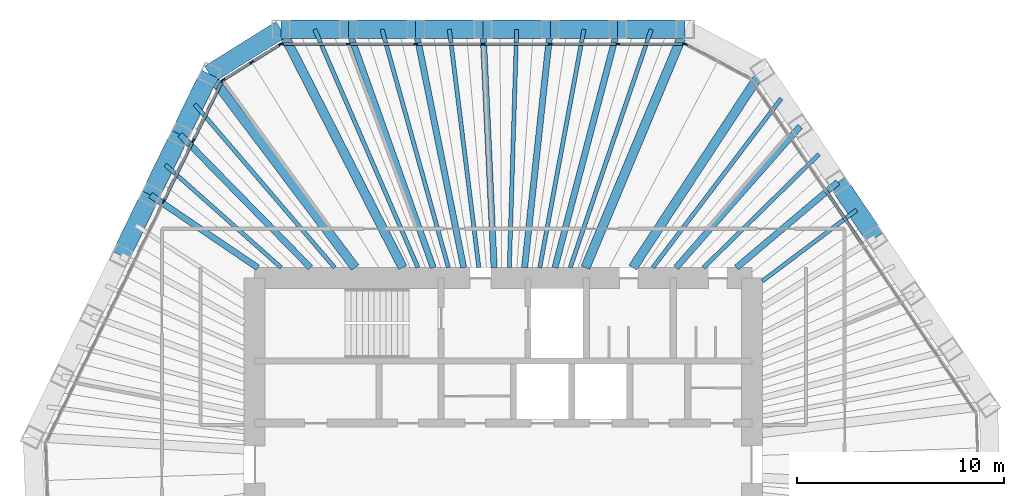
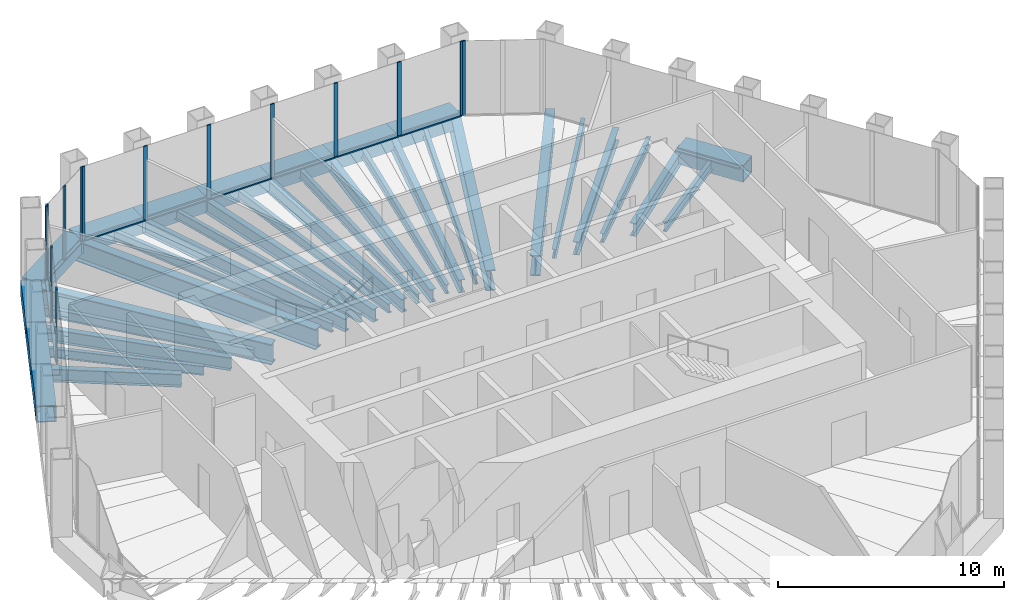
# One storey, part 7 of 14: 35 beams, 25 members, 5 elements without a shape of their own.
"""IFC4 building model written with IfcOpenShell, lengths in metres."""

from ifc_helpers import new_model, si_unit, direction, frame, origin, origin_2d, place, context, subcontext, project, spatial, rectangle, hollow_rectangle, i_section, extrude, material, material_profile, profile_set, type_object, element, aggregate, save


model = new_model("IFC4")

# Units and contexts
model_context = context("Model", 3, precision=1e-05, world=origin(), true_north=direction((0.0, 1.0)))
body_context = subcontext(model_context, "Body", "Model", "MODEL_VIEW")
ifc_project = project(units=[si_unit("LENGTHUNIT", "METRE"), si_unit("AREAUNIT", "SQUARE_METRE"), si_unit("VOLUMEUNIT", "CUBIC_METRE"), si_unit("PLANEANGLEUNIT", "RADIAN"), si_unit("MASSUNIT", "GRAM", prefix="KILO")], contexts=[model_context])

# Site, building, storey
site_placement = place(None, origin())
site = spatial("IfcSite", under=ifc_project, at=site_placement, CompositionType="ELEMENT")
building_placement = place(site_placement, origin())
building = spatial("IfcBuilding", under=site, at=building_placement, Name="Qingtian Harvest Tower", CompositionType="ELEMENT")
storey_placement = place(building_placement, frame((0.0, 0.0, 270.39990234375)))
storey = spatial("IfcBuildingStorey", under=building, at=storey_placement, Name="L59", CompositionType="ELEMENT", Elevation=270.39990234375)

# Beams
ifc_material_1 = material(Name="Steel SM570MC", Category="steel")
ifc_material_profile_1 = material_profile(ifc_material_1, i_section(OverallWidth=0.449951171875, OverallDepth=1.10009765625, WebThickness=0.02197265625, FlangeThickness=0.044921875, at=origin_2d()), Name="H1100x450x22x45")
ifc_profile_set_1 = profile_set([ifc_material_profile_1], Name="Steel SM570MC")
beam_type_1 = type_object("IfcBeamType", Name="Corner floor beam FB8 H1100x450x22x45", PredefinedType="BEAM", material=ifc_profile_set_1)
beam_1_placement = place(storey_placement, frame((-10.72216796875, 21.0, -0.719970703125), z_axis=(0.454730568944, -0.890629052787, 0.0), x_axis=(0.890629052787, 0.454730568944, 0.0)))
element("IfcBeam", 1, at=beam_1_placement, inside=storey, type_object=beam_type_1, Name="Floor beam FB8 N0", PredefinedType="BEAM", context=body_context, shape_type="SweptSolid", body=[
    extrude(i_section(OverallWidth=0.449951171875, OverallDepth=1.10009765625, WebThickness=0.02197265625, FlangeThickness=0.044921875, at=origin_2d()), origin(), (0.0, 0.0, 1.0), 12.912109375),
])
beam_2_placement = place(storey_placement, frame((8.765869140625, 21.0, -0.719970703125), z_axis=(-0.385205133264, -0.922830973313, 0.0), x_axis=(0.922830973313, -0.385205133264, 0.0)))
element("IfcBeam", 2, at=beam_2_placement, inside=storey, type_object=beam_type_1, Name="Floor beam FB8 N6", PredefinedType="BEAM", context=body_context, shape_type="SweptSolid", body=[
    extrude(i_section(OverallWidth=0.449951171875, OverallDepth=1.10009765625, WebThickness=0.02197265625, FlangeThickness=0.044921875, at=origin_2d()), origin(), (0.0, 0.0, 1.0), 12.461669921875),
])
beam_3_placement = place(storey_placement, frame((12.508056640625, 19.01025390625, -0.719970703125), z_axis=(-0.549666916329, -0.835383912398, 0.0), x_axis=(0.835383912398, -0.549666916329, 0.0)))
element("IfcBeam", 3, at=beam_3_placement, inside=storey, type_object=beam_type_1, Name="Floor beam FB8 NE0", PredefinedType="BEAM", context=body_context, shape_type="SweptSolid", body=[
    extrude(i_section(OverallWidth=0.449951171875, OverallDepth=1.10009765625, WebThickness=0.02197265625, FlangeThickness=0.044921875, at=origin_2d()), origin(), (0.0, 0.0, 1.0), 11.38427734375),
])
beam_4_placement = place(storey_placement, frame((-14.17431640625, 18.8427734375, -0.719970703125), z_axis=(0.601148761641, -0.799137138655, 0.0), x_axis=(0.799137138655, 0.601148761641, 0.0)))
element("IfcBeam", 4, at=beam_4_placement, inside=storey, type_object=beam_type_1, Name="Floor beam FB8 NW6", PredefinedType="BEAM", context=body_context, shape_type="SweptSolid", body=[
    extrude(i_section(OverallWidth=0.449951171875, OverallDepth=1.10009765625, WebThickness=0.02197265625, FlangeThickness=0.044921875, at=origin_2d()), origin(), (0.0, 0.0, 1.0), 11.691162109375),
])
ifc_material_2 = material(Name="Steel SN490B", Category="steel")
ifc_material_profile_2 = material_profile(ifc_material_2, i_section(OverallWidth=0.300048828125, OverallDepth=0.699951171875, WebThickness=0.012939453125, FlangeThickness=0.02392578125, at=origin_2d()), Name="H700x300x13x24")
ifc_profile_set_2 = profile_set([ifc_material_profile_2], Name="Steel SN490B")
beam_type_2 = type_object("IfcBeamType", Name="Floor beam FB4 H700x300x13x24", PredefinedType="BEAM", material=ifc_profile_set_2)
beam_5_placement = place(storey_placement, frame((-7.47412109375, 21.0, -0.52001953125), z_axis=(0.335309922571, -0.94210787908, 0.0), x_axis=(0.94210787908, 0.335309922571, 0.0)))
element("IfcBeam", 5, at=beam_5_placement, inside=storey, type_object=beam_type_2, Name="Floor beam FB4 N1", PredefinedType="BEAM", context=body_context, shape_type="SweptSolid", body=[
    extrude(i_section(OverallWidth=0.300048828125, OverallDepth=0.699951171875, WebThickness=0.012939453125, FlangeThickness=0.02392578125, at=origin_2d()), origin(), (0.0, 0.0, 1.0), 12.206787109375),
])
beam_6_placement = place(storey_placement, frame((-4.226318359375, 21.0, -0.52001953125), z_axis=(0.197300692693, -0.980343019898, 0.0), x_axis=(0.980343019898, 0.197300692693, 0.0)))
element("IfcBeam", 6, at=beam_6_placement, inside=storey, type_object=beam_type_2, Name="Floor beam FB4 N2", PredefinedType="BEAM", context=body_context, shape_type="SweptSolid", body=[
    extrude(i_section(OverallWidth=0.300048828125, OverallDepth=0.699951171875, WebThickness=0.012939453125, FlangeThickness=0.02392578125, at=origin_2d()), origin(), (0.0, 0.0, 1.0), 11.73046875),
])
beam_7_placement = place(storey_placement, frame((-0.978271484375, 21.0, -0.52001953125), z_axis=(0.046527342366, -0.99891701678, 0.0), x_axis=(0.99891701678, 0.046527342366, 0.0)))
element("IfcBeam", 7, at=beam_7_placement, inside=storey, type_object=beam_type_2, Name="Floor beam FB4 N3", PredefinedType="BEAM", context=body_context, shape_type="SweptSolid", body=[
    extrude(i_section(OverallWidth=0.300048828125, OverallDepth=0.699951171875, WebThickness=0.012939453125, FlangeThickness=0.02392578125, at=origin_2d()), origin(), (0.0, 0.0, 1.0), 11.512451171875),
])
beam_8_placement = place(storey_placement, frame((2.269775390625, 21.0, -0.52001953125), z_axis=(-0.107454213734, -0.994210034123, 0.0), x_axis=(0.994210034123, -0.107454213734, 0.0)))
element("IfcBeam", 8, at=beam_8_placement, inside=storey, type_object=beam_type_2, Name="Floor beam FB4 N4", PredefinedType="BEAM", context=body_context, shape_type="SweptSolid", body=[
    extrude(i_section(OverallWidth=0.300048828125, OverallDepth=0.699951171875, WebThickness=0.012939453125, FlangeThickness=0.02392578125, at=origin_2d()), origin(), (0.0, 0.0, 1.0), 11.56689453125),
])
beam_9_placement = place(storey_placement, frame((5.517822265625, 21.0, -0.52001953125), z_axis=(-0.254132470973, -0.967169420111, 0.0), x_axis=(0.967169420111, -0.254132470973, 0.0)))
element("IfcBeam", 9, at=beam_9_placement, inside=storey, type_object=beam_type_2, Name="Floor beam FB4 N5", PredefinedType="BEAM", context=body_context, shape_type="SweptSolid", body=[
    extrude(i_section(OverallWidth=0.300048828125, OverallDepth=0.699951171875, WebThickness=0.012939453125, FlangeThickness=0.02392578125, at=origin_2d()), origin(), (0.0, 0.0, 1.0), 11.890380859375),
])
beam_10_placement = place(storey_placement, frame((14.32421875, 16.317626953125, -0.52001953125), z_axis=(-0.659702205655, -0.751527111856, 0.0), x_axis=(0.751527111856, -0.659702205655, 0.0)))
element("IfcBeam", 10, at=beam_10_placement, inside=storey, type_object=beam_type_2, Name="Floor beam FB4 NE1", PredefinedType="BEAM", context=body_context, shape_type="SweptSolid", body=[
    extrude(i_section(OverallWidth=0.300048828125, OverallDepth=0.699951171875, WebThickness=0.012939453125, FlangeThickness=0.02392578125, at=origin_2d()), origin(), (0.0, 0.0, 1.0), 9.07177734375),
])
beam_11_placement = place(storey_placement, frame((16.140625, 13.624755859375, -0.52001953125), z_axis=(-0.764153276603, -0.645034704382, 0.0), x_axis=(0.645034704382, -0.764153276603, 0.0)))
element("IfcBeam", 11, at=beam_11_placement, inside=storey, type_object=beam_type_2, Name="Floor beam FB4 NE2", PredefinedType="BEAM", context=body_context, shape_type="SweptSolid", body=[
    extrude(i_section(OverallWidth=0.300048828125, OverallDepth=0.699951171875, WebThickness=0.012939453125, FlangeThickness=0.02392578125, at=origin_2d()), origin(), (0.0, 0.0, 1.0), 6.39453125),
])
beam_12_placement = place(storey_placement, frame((-17.02197265625, 13.00439453125, -0.52001953125), z_axis=(0.827854296295, -0.560943191514, 0.0), x_axis=(0.560943191514, 0.827854296295, 0.0)))
element("IfcBeam", 12, at=beam_12_placement, inside=storey, type_object=beam_type_2, Name="Floor beam FB4 NW4", PredefinedType="BEAM", context=body_context, shape_type="SweptSolid", body=[
    extrude(i_section(OverallWidth=0.300048828125, OverallDepth=0.699951171875, WebThickness=0.012939453125, FlangeThickness=0.02392578125, at=origin_2d()), origin(), (0.0, 0.0, 1.0), 6.247314453125),
])
beam_13_placement = place(storey_placement, frame((-15.59814453125, 15.923583984375, -0.52001953125), z_axis=(0.699765413715, -0.714372707883, 0.0), x_axis=(0.714372707883, 0.699765413715, 0.0)))
element("IfcBeam", 13, at=beam_13_placement, inside=storey, type_object=beam_type_2, Name="Floor beam FB4 NW5", PredefinedType="BEAM", context=body_context, shape_type="SweptSolid", body=[
    extrude(i_section(OverallWidth=0.300048828125, OverallDepth=0.699951171875, WebThickness=0.012939453125, FlangeThickness=0.02392578125, at=origin_2d()), origin(), (0.0, 0.0, 1.0), 8.991943359375),
])
ifc_material_3 = material(Name="Steel SN490B", Category="steel")
ifc_material_profile_3 = material_profile(ifc_material_3, i_section(OverallWidth=0.199951171875, OverallDepth=0.5, WebThickness=0.010009765625, FlangeThickness=0.01611328125, at=origin_2d()), Name="H500x200x10x16")
ifc_profile_set_3 = profile_set([ifc_material_profile_3], Name="Steel SN490B")
beam_type_3 = type_object("IfcBeamType", Name="Floor joist J3 H500x200x10x16", PredefinedType="JOIST", material=ifc_profile_set_3)
beam_14_placement = place(storey_placement, frame((-9.09814453125, 21.0, -0.419921875), z_axis=(0.397529807491, -0.917589261138, 0.0), x_axis=(0.917589261138, 0.397529807491, 0.0)))
element("IfcBeam", 14, at=beam_14_placement, inside=storey, type_object=beam_type_3, Name="Floor joist J3 N0", PredefinedType="JOIST", context=body_context, shape_type="SweptSolid", body=[
    extrude(i_section(OverallWidth=0.199951171875, OverallDepth=0.5, WebThickness=0.010009765625, FlangeThickness=0.01611328125, at=origin_2d()), origin(), (0.0, 0.0, 1.0), 12.532958984375),
])
beam_15_placement = place(storey_placement, frame((-5.85009765625, 21.0, -0.419921875), z_axis=(0.268356818155, -0.963319582563, 0.0), x_axis=(0.963319582563, 0.268356818155, 0.0)))
element("IfcBeam", 15, at=beam_15_placement, inside=storey, type_object=beam_type_3, Name="Floor joist J3 N1", PredefinedType="JOIST", context=body_context, shape_type="SweptSolid", body=[
    extrude(i_section(OverallWidth=0.199951171875, OverallDepth=0.5, WebThickness=0.010009765625, FlangeThickness=0.01611328125, at=origin_2d()), origin(), (0.0, 0.0, 1.0), 11.93798828125),
])
beam_16_placement = place(storey_placement, frame((-2.602294921875, 21.0, -0.419921875), z_axis=(0.122976702395, -0.992409557929, 0.0), x_axis=(0.992409557929, 0.122976702395, 0.0)))
element("IfcBeam", 16, at=beam_16_placement, inside=storey, type_object=beam_type_3, Name="Floor joist J3 N2", PredefinedType="JOIST", context=body_context, shape_type="SweptSolid", body=[
    extrude(i_section(OverallWidth=0.199951171875, OverallDepth=0.5, WebThickness=0.010009765625, FlangeThickness=0.01611328125, at=origin_2d()), origin(), (0.0, 0.0, 1.0), 11.587890625),
])
beam_17_placement = place(storey_placement, frame((0.645751953125, 21.0, -0.419921875), z_axis=(-0.030725974878, -0.999527845769, 0.0), x_axis=(0.999527845769, -0.030725974878, 0.0)))
element("IfcBeam", 17, at=beam_17_placement, inside=storey, type_object=beam_type_3, Name="Floor joist J3 N3", PredefinedType="JOIST", context=body_context, shape_type="SweptSolid", body=[
    extrude(i_section(OverallWidth=0.199951171875, OverallDepth=0.5, WebThickness=0.010009765625, FlangeThickness=0.01611328125, at=origin_2d()), origin(), (0.0, 0.0, 1.0), 11.50537109375),
])
beam_18_placement = place(storey_placement, frame((3.893798828125, 21.0, -0.419921875), z_axis=(-0.182312001941, -0.983240730416, 0.0), x_axis=(0.983240730416, -0.182312001941, 0.0)))
element("IfcBeam", 18, at=beam_18_placement, inside=storey, type_object=beam_type_3, Name="Floor joist J3 N4", PredefinedType="JOIST", context=body_context, shape_type="SweptSolid", body=[
    extrude(i_section(OverallWidth=0.199951171875, OverallDepth=0.5, WebThickness=0.010009765625, FlangeThickness=0.01611328125, at=origin_2d()), origin(), (0.0, 0.0, 1.0), 11.696044921875),
])
beam_19_placement = place(storey_placement, frame((7.141845703125, 21.0, -0.419921875), z_axis=(-0.321968312345, -0.94675044539, 0.0), x_axis=(0.94675044539, -0.321968312345, 0.0)))
element("IfcBeam", 19, at=beam_19_placement, inside=storey, type_object=beam_type_3, Name="Floor joist J3 N5", PredefinedType="JOIST", context=body_context, shape_type="SweptSolid", body=[
    extrude(i_section(OverallWidth=0.199951171875, OverallDepth=0.5, WebThickness=0.010009765625, FlangeThickness=0.01611328125, at=origin_2d()), origin(), (0.0, 0.0, 1.0), 12.146728515625),
])
beam_20_placement = place(storey_placement, frame((13.416015625, 17.6640625, -0.419921875), z_axis=(-0.604835675798, -0.796350303122, 0.0), x_axis=(0.796350303122, -0.604835675798, 0.0)))
element("IfcBeam", 20, at=beam_20_placement, inside=storey, type_object=beam_type_3, Name="Floor joist J3 NE0", PredefinedType="JOIST", context=body_context, shape_type="SweptSolid", body=[
    extrude(i_section(OverallWidth=0.199951171875, OverallDepth=0.5, WebThickness=0.010009765625, FlangeThickness=0.01611328125, at=origin_2d()), origin(), (0.0, 0.0, 1.0), 10.251953125),
])
beam_21_placement = place(storey_placement, frame((15.232421875, 14.97119140625, -0.419921875), z_axis=(-0.713195408707, -0.700965269467, 0.0), x_axis=(0.700965269467, -0.713195408707, 0.0)))
element("IfcBeam", 21, at=beam_21_placement, inside=storey, type_object=beam_type_3, Name="Floor joist J3 NE1", PredefinedType="JOIST", context=body_context, shape_type="SweptSolid", body=[
    extrude(i_section(OverallWidth=0.199951171875, OverallDepth=0.5, WebThickness=0.010009765625, FlangeThickness=0.01611328125, at=origin_2d()), origin(), (0.0, 0.0, 1.0), 7.80517578125),
])
beam_22_placement = place(storey_placement, frame((17.048583984375, 12.278564453125, -0.419921875), z_axis=(-0.79856269076, -0.601911645448, 0.0), x_axis=(0.601911645448, -0.79856269076, 0.0)))
element("IfcBeam", 22, at=beam_22_placement, inside=storey, type_object=beam_type_3, Name="Floor joist J3 NE2", PredefinedType="JOIST", context=body_context, shape_type="SweptSolid", body=[
    extrude(i_section(OverallWidth=0.199951171875, OverallDepth=0.5, WebThickness=0.010009765625, FlangeThickness=0.01611328125, at=origin_2d()), origin(), (0.0, 0.0, 1.0), 5.696044921875),
])
beam_23_placement = place(storey_placement, frame((-16.31005859375, 14.4638671875, -0.419921875), z_axis=(0.748179407524, -0.663496476372, 0.0), x_axis=(0.663496476372, 0.748179407524, 0.0)))
element("IfcBeam", 23, at=beam_23_placement, inside=storey, type_object=beam_type_3, Name="Floor joist J3 NW4", PredefinedType="JOIST", context=body_context, shape_type="SweptSolid", body=[
    extrude(i_section(OverallWidth=0.199951171875, OverallDepth=0.5, WebThickness=0.010009765625, FlangeThickness=0.01611328125, at=origin_2d()), origin(), (0.0, 0.0, 1.0), 7.4814453125),
])
beam_24_placement = place(storey_placement, frame((-14.88623046875, 17.38330078125, -0.419921875), z_axis=(0.650436795804, -0.7595603825, 0.0), x_axis=(0.7595603825, 0.650436795804, 0.0)))
element("IfcBeam", 24, at=beam_24_placement, inside=storey, type_object=beam_type_3, Name="Floor joist J3 NW5", PredefinedType="JOIST", context=body_context, shape_type="SweptSolid", body=[
    extrude(i_section(OverallWidth=0.199951171875, OverallDepth=0.5, WebThickness=0.010009765625, FlangeThickness=0.01611328125, at=origin_2d()), origin(), (0.0, 0.0, 1.0), 10.378662109375),
])

# Curtain wall, members
ifc_material_4 = material(Name="Bronze-anodised aluminium curtain wall", Category="aluminium")
curtain_wall_type = type_object("IfcCurtainWallType", Name="Curtain wall CW5 upper office", PredefinedType="USERDEFINED", material=ifc_material_4)
curtain_wall_1_placement = place(storey_placement, origin())
curtain_wall_1 = element("IfcCurtainWall", 25, at=curtain_wall_1_placement, inside=storey, type_object=curtain_wall_type, Name="Curtain wall CW5 L59 N0-5", ObjectType="RECESSED CURTAIN WALL", PredefinedType="USERDEFINED")
ifc_material_5 = material(Name="Bronze-anodised aluminium mullion", Category="aluminium")
ifc_material_profile_4 = material_profile(ifc_material_5, rectangle(XDim=0.06494140625, YDim=0.199951171875, at=origin_2d()), Name="AL 65x200")
ifc_profile_set_4 = profile_set([ifc_material_profile_4], Name="Bronze-anodised aluminium mullion")
member_type_1 = type_object("IfcMemberType", Name="Mullion CWM 65x200", PredefinedType="MULLION", material=ifc_profile_set_4)
member_1_placement = place(storey_placement, frame((-10.689697265625, 20.300048828125, 0.0), z_axis=(0.0, 0.0, 1.0), x_axis=(0.0, 1.0, 0.0)))
member_1 = element("IfcMember", 26, at=member_1_placement, type_object=member_type_1, Name="CW5 mullion 1", PredefinedType="MULLION", context=body_context, shape_type="SweptSolid", body=[
    extrude(rectangle(XDim=0.06494140625, YDim=0.199951171875, at=origin_2d()), origin(), (0.0, 0.0, 1.0), 4.030029296875),
])
member_2_placement = place(storey_placement, frame((-7.47412109375, 20.300048828125, 0.0), z_axis=(0.0, 0.0, 1.0), x_axis=(0.0, 1.0, 0.0)))
member_2 = element("IfcMember", 27, at=member_2_placement, type_object=member_type_1, Name="CW5 mullion 2", PredefinedType="MULLION", context=body_context, shape_type="SweptSolid", body=[
    extrude(rectangle(XDim=0.06494140625, YDim=0.199951171875, at=origin_2d()), origin(), (0.0, 0.0, 1.0), 4.030029296875),
])
member_3_placement = place(storey_placement, frame((-4.226318359375, 20.300048828125, 0.0), z_axis=(0.0, 0.0, 1.0), x_axis=(0.0, 1.0, 0.0)))
member_3 = element("IfcMember", 28, at=member_3_placement, type_object=member_type_1, Name="CW5 mullion 3", PredefinedType="MULLION", context=body_context, shape_type="SweptSolid", body=[
    extrude(rectangle(XDim=0.06494140625, YDim=0.199951171875, at=origin_2d()), origin(), (0.0, 0.0, 1.0), 4.030029296875),
])
member_4_placement = place(storey_placement, frame((-0.978271484375, 20.300048828125, 0.0), z_axis=(0.0, 0.0, 1.0), x_axis=(0.0, 1.0, 0.0)))
member_4 = element("IfcMember", 29, at=member_4_placement, type_object=member_type_1, Name="CW5 mullion 4", PredefinedType="MULLION", context=body_context, shape_type="SweptSolid", body=[
    extrude(rectangle(XDim=0.06494140625, YDim=0.199951171875, at=origin_2d()), origin(), (0.0, 0.0, 1.0), 4.030029296875),
])
member_5_placement = place(storey_placement, frame((2.269775390625, 20.300048828125, 0.0), z_axis=(0.0, 0.0, 1.0), x_axis=(0.0, 1.0, 0.0)))
member_5 = element("IfcMember", 30, at=member_5_placement, type_object=member_type_1, Name="CW5 mullion 5", PredefinedType="MULLION", context=body_context, shape_type="SweptSolid", body=[
    extrude(rectangle(XDim=0.06494140625, YDim=0.199951171875, at=origin_2d()), origin(), (0.0, 0.0, 1.0), 4.030029296875),
])
member_6_placement = place(storey_placement, frame((5.517822265625, 20.300048828125, 0.0), z_axis=(0.0, 0.0, 1.0), x_axis=(0.0, 1.0, 0.0)))
member_6 = element("IfcMember", 31, at=member_6_placement, type_object=member_type_1, Name="CW5 mullion 6", PredefinedType="MULLION", context=body_context, shape_type="SweptSolid", body=[
    extrude(rectangle(XDim=0.06494140625, YDim=0.199951171875, at=origin_2d()), origin(), (0.0, 0.0, 1.0), 4.030029296875),
])
member_7_placement = place(storey_placement, frame((8.7333984375, 20.300048828125, 0.0), z_axis=(0.0, 0.0, 1.0), x_axis=(0.0, 1.0, 0.0)))
member_7 = element("IfcMember", 32, at=member_7_placement, type_object=member_type_1, Name="CW5 mullion 7", PredefinedType="MULLION", context=body_context, shape_type="SweptSolid", body=[
    extrude(rectangle(XDim=0.06494140625, YDim=0.199951171875, at=origin_2d()), origin(), (0.0, 0.0, 1.0), 4.030029296875),
])

# Curtain wall, member
curtain_wall_2_placement = place(storey_placement, origin())
curtain_wall_2 = element("IfcCurtainWall", 33, at=curtain_wall_2_placement, inside=storey, type_object=curtain_wall_type, Name="Curtain wall CW5 L59 NC", ObjectType="RECESSED CURTAIN WALL", PredefinedType="USERDEFINED")
member_8_placement = place(storey_placement, frame((8.794677734375, 20.28466796875, 0.0), z_axis=(0.0, 0.0, 1.0), x_axis=(0.469471562786, 0.882947592859, 0.0)))
member_8 = element("IfcMember", 34, at=member_8_placement, type_object=member_type_1, Name="CW5 mullion 1", PredefinedType="MULLION", context=body_context, shape_type="SweptSolid", body=[
    extrude(rectangle(XDim=0.06494140625, YDim=0.199951171875, at=origin_2d()), origin(), (0.0, 0.0, 1.0), 4.030029296875),
])
aggregate(curtain_wall_2, [member_8])

# Curtain wall, members
curtain_wall_3_placement = place(storey_placement, origin())
curtain_wall_3 = element("IfcCurtainWall", 35, at=curtain_wall_3_placement, inside=storey, type_object=curtain_wall_type, Name="Curtain wall CW5 L59 NW0-5", ObjectType="RECESSED CURTAIN WALL", PredefinedType="USERDEFINED")
member_9_placement = place(storey_placement, frame((-16.392822265625, 12.697509765625, 0.0), z_axis=(0.0, 0.0, 1.0), x_axis=(-0.898794046299, 0.438371146789, 0.0)))
member_9 = element("IfcMember", 36, at=member_9_placement, type_object=member_type_1, Name="CW5 mullion 5", PredefinedType="MULLION", context=body_context, shape_type="SweptSolid", body=[
    extrude(rectangle(XDim=0.06494140625, YDim=0.199951171875, at=origin_2d()), origin(), (0.0, 0.0, 1.0), 4.030029296875),
])
member_10_placement = place(storey_placement, frame((-14.968994140625, 15.61669921875, 0.0), z_axis=(0.0, 0.0, 1.0), x_axis=(-0.898794046299, 0.438371146789, 0.0)))
member_10 = element("IfcMember", 37, at=member_10_placement, type_object=member_type_1, Name="CW5 mullion 6", PredefinedType="MULLION", context=body_context, shape_type="SweptSolid", body=[
    extrude(rectangle(XDim=0.06494140625, YDim=0.199951171875, at=origin_2d()), origin(), (0.0, 0.0, 1.0), 4.030029296875),
])
member_11_placement = place(storey_placement, frame((-13.559326171875, 18.5068359375, 0.0), z_axis=(0.0, 0.0, 1.0), x_axis=(-0.898794046299, 0.438371146789, 0.0)))
member_11 = element("IfcMember", 38, at=member_11_placement, type_object=member_type_1, Name="CW5 mullion 7", PredefinedType="MULLION", context=body_context, shape_type="SweptSolid", body=[
    extrude(rectangle(XDim=0.06494140625, YDim=0.199951171875, at=origin_2d()), origin(), (0.0, 0.0, 1.0), 4.030029296875),
])

curtain_wall_4_placement = place(storey_placement, origin())
curtain_wall_4 = element("IfcCurtainWall", 39, at=curtain_wall_4_placement, inside=storey, type_object=curtain_wall_type, Name="Curtain wall CW5 L59 NWC", ObjectType="RECESSED CURTAIN WALL", PredefinedType="USERDEFINED")
member_12_placement = place(storey_placement, frame((-13.517578125, 18.55322265625, 0.0), z_axis=(0.0, 0.0, 1.0), x_axis=(-0.529919264233, 0.848048096156, 0.0)))
member_12 = element("IfcMember", 40, at=member_12_placement, type_object=member_type_1, Name="CW5 mullion 1", PredefinedType="MULLION", context=body_context, shape_type="SweptSolid", body=[
    extrude(rectangle(XDim=0.06494140625, YDim=0.199951171875, at=origin_2d()), origin(), (0.0, 0.0, 1.0), 4.030029296875),
])
member_13_placement = place(storey_placement, frame((-12.1337890625, 19.41796875, 0.0), z_axis=(0.0, 0.0, 1.0), x_axis=(-0.529919264233, 0.848048096156, 0.0)))
member_13 = element("IfcMember", 41, at=member_13_placement, type_object=member_type_1, Name="CW5 mullion 2", PredefinedType="MULLION", context=body_context, shape_type="SweptSolid", body=[
    extrude(rectangle(XDim=0.06494140625, YDim=0.199951171875, at=origin_2d()), origin(), (0.0, 0.0, 1.0), 4.030029296875),
])
member_14_placement = place(storey_placement, frame((-10.749755859375, 20.28271484375, 0.0), z_axis=(0.0, 0.0, 1.0), x_axis=(-0.529919264233, 0.848048096156, 0.0)))
member_14 = element("IfcMember", 42, at=member_14_placement, type_object=member_type_1, Name="CW5 mullion 3", PredefinedType="MULLION", context=body_context, shape_type="SweptSolid", body=[
    extrude(rectangle(XDim=0.06494140625, YDim=0.199951171875, at=origin_2d()), origin(), (0.0, 0.0, 1.0), 4.030029296875),
])

# Beams
ifc_material_6 = material(Name="Steel SM570MC", Category="steel")
ifc_material_profile_5 = material_profile(ifc_material_6, hollow_rectangle(XDim=0.89990234375, YDim=0.89990234375, WallThickness=0.050048828125, at=origin_2d()), Name="BOX900x900x50")
ifc_profile_set_5 = profile_set([ifc_material_profile_5], Name="Steel SM570MC")
beam_type_4 = type_object("IfcBeamType", Name="Transition spandrel SB6 BOX900x900x50", PredefinedType="SPANDREL", material=ifc_profile_set_5)
beam_25_placement = place(storey_placement, frame((-10.72216796875, 21.0, -0.449951171875), z_axis=(1.0, 0.0, 0.0), x_axis=(0.0, 1.0, 0.0)))
element("IfcBeam", 43, at=beam_25_placement, inside=storey, type_object=beam_type_4, Name="Spandrel SB6 N0", PredefinedType="SPANDREL", context=body_context, shape_type="SweptSolid", body=[
    extrude(hollow_rectangle(XDim=0.89990234375, YDim=0.89990234375, WallThickness=0.050048828125, at=origin_2d()), origin(), (0.0, 0.0, 1.0), 3.248046875),
])
beam_26_placement = place(storey_placement, frame((-7.47412109375, 21.0, -0.449951171875), z_axis=(1.0, 0.0, 0.0), x_axis=(0.0, 1.0, 0.0)))
element("IfcBeam", 44, at=beam_26_placement, inside=storey, type_object=beam_type_4, Name="Spandrel SB6 N1", PredefinedType="SPANDREL", context=body_context, shape_type="SweptSolid", body=[
    extrude(hollow_rectangle(XDim=0.89990234375, YDim=0.89990234375, WallThickness=0.050048828125, at=origin_2d()), origin(), (0.0, 0.0, 1.0), 3.247802734375),
])
for number, where, z_axis, x_axis, name in (
    (45, (-4.226318359375, 21.0, -0.449951171875), (1.0, 0.0, 0.0), (0.0, 1.0, 0.0), "Spandrel SB6 N2"),
    (46, (-0.978271484375, 21.0, -0.449951171875), (1.0, 0.0, 0.0), (0.0, 1.0, 0.0), "Spandrel SB6 N3"),
    (47, (2.269775390625, 21.0, -0.449951171875), (1.0, 0.0, 0.0), (0.0, 1.0, 0.0), "Spandrel SB6 N4"),
    (48, (5.517822265625, 21.0, -0.449951171875), (1.0, 0.0, 0.0), (0.0, 1.0, 0.0), "Spandrel SB6 N5"),
):
    element("IfcBeam", number, at=place(storey_placement, frame(where, z_axis=z_axis, x_axis=x_axis)), inside=storey, type_object=beam_type_4, Name=name, PredefinedType="SPANDREL", context=body_context, shape_type="SweptSolid", body=[
        extrude(hollow_rectangle(XDim=0.89990234375, YDim=0.89990234375, WallThickness=0.050048828125, at=origin_2d()), origin(), (0.0, 0.0, 1.0), 3.248046875),
    ])
beam_27_placement = place(storey_placement, frame((16.140625, 13.624755859375, -0.449951171875), z_axis=(0.559184924833, -0.829042954158, 0.0), x_axis=(0.829042954158, 0.559184924833, 0.0)))
element("IfcBeam", 49, at=beam_27_placement, inside=storey, type_object=beam_type_4, Name="Spandrel SB6 NE2", PredefinedType="SPANDREL", context=body_context, shape_type="SweptSolid", body=[
    extrude(hollow_rectangle(XDim=0.89990234375, YDim=0.89990234375, WallThickness=0.050048828125, at=origin_2d()), origin(), (0.0, 0.0, 1.0), 3.247802734375),
])
beam_28_placement = place(storey_placement, frame((-18.44580078125, 10.0849609375, -0.449951171875), z_axis=(0.438352548749, 0.898803116931, 0.0), x_axis=(-0.898803116931, 0.438352548749, 0.0)))
element("IfcBeam", 50, at=beam_28_placement, inside=storey, type_object=beam_type_4, Name="Spandrel SB6 NW3", PredefinedType="SPANDREL", context=body_context, shape_type="SweptSolid", body=[
    extrude(hollow_rectangle(XDim=0.89990234375, YDim=0.89990234375, WallThickness=0.050048828125, at=origin_2d()), origin(), (0.0, 0.0, 1.0), 3.248046875),
])
for number, where, z_axis, x_axis, name in (
    (51, (-17.02197265625, 13.00439453125, -0.449951171875), (0.438382164311, 0.898788672611, 0.0), (-0.898788672611, 0.438382164311, 0.0), "Spandrel SB6 NW4"),
    (52, (-15.59814453125, 15.923583984375, -0.449951171875), (0.438382164311, 0.898788672611, 0.0), (-0.898788672611, 0.438382164311, 0.0), "Spandrel SB6 NW5"),
):
    element("IfcBeam", number, at=place(storey_placement, frame(where, z_axis=z_axis, x_axis=x_axis)), inside=storey, type_object=beam_type_4, Name=name, PredefinedType="SPANDREL", context=body_context, shape_type="SweptSolid", body=[
        extrude(hollow_rectangle(XDim=0.89990234375, YDim=0.89990234375, WallThickness=0.050048828125, at=origin_2d()), origin(), (0.0, 0.0, 1.0), 3.247802734375),
    ])
beam_29_placement = place(storey_placement, frame((-14.17431640625, 18.8427734375, -0.449951171875), z_axis=(0.848038733752, 0.529934246919, 0.0), x_axis=(-0.529934246919, 0.848038733752, 0.0)))
element("IfcBeam", 53, at=beam_29_placement, inside=storey, type_object=beam_type_4, Name="Spandrel SB6 NWC", PredefinedType="SPANDREL", context=body_context, shape_type="SweptSolid", body=[
    extrude(hollow_rectangle(XDim=0.89990234375, YDim=0.89990234375, WallThickness=0.050048828125, at=origin_2d()), origin(), (0.0, 0.0, 1.0), 4.07080078125),
])

# Member
ifc_material_7 = material(Name="Bronze-anodised aluminium transom", Category="aluminium")
ifc_material_profile_6 = material_profile(ifc_material_7, rectangle(XDim=0.14990234375, YDim=0.06494140625, at=origin_2d()), Name="AL 65x150")
ifc_profile_set_6 = profile_set([ifc_material_profile_6], Name="Bronze-anodised aluminium transom")
member_type_2 = type_object("IfcMemberType", Name="Transom CWT 65x150", PredefinedType="USERDEFINED", material=ifc_profile_set_6)
member_15_placement = place(storey_placement, frame((-10.6572265625, 20.300048828125, 0.03271484375), z_axis=(1.0, 0.0, 0.0), x_axis=(0.0, 1.0, 0.0)))
member_15 = element("IfcMember", 54, at=member_15_placement, type_object=member_type_2, Name="CW5 transom 1.1", ObjectType="TRANSOM", PredefinedType="USERDEFINED", context=body_context, shape_type="SweptSolid", body=[
    extrude(rectangle(XDim=0.14990234375, YDim=0.06494140625, at=origin_2d()), origin(), (0.0, 0.0, 1.0), 3.150390625),
])

member_16_placement = place(storey_placement, frame((-7.441650390625, 20.300048828125, 0.03271484375), z_axis=(1.0, 0.0, 0.0), x_axis=(0.0, 1.0, 0.0)))
member_16 = element("IfcMember", 55, at=member_16_placement, type_object=member_type_2, Name="CW5 transom 2.1", ObjectType="TRANSOM", PredefinedType="USERDEFINED", context=body_context, shape_type="SweptSolid", body=[
    extrude(rectangle(XDim=0.14990234375, YDim=0.06494140625, at=origin_2d()), origin(), (0.0, 0.0, 1.0), 3.182861328125),
])

member_17_placement = place(storey_placement, frame((-4.193603515625, 20.300048828125, 0.03271484375), z_axis=(1.0, 0.0, 0.0), x_axis=(0.0, 1.0, 0.0)))
member_17 = element("IfcMember", 56, at=member_17_placement, type_object=member_type_2, Name="CW5 transom 3.1", ObjectType="TRANSOM", PredefinedType="USERDEFINED", context=body_context, shape_type="SweptSolid", body=[
    extrude(rectangle(XDim=0.14990234375, YDim=0.06494140625, at=origin_2d()), origin(), (0.0, 0.0, 1.0), 3.182861328125),
])

member_18_placement = place(storey_placement, frame((-0.94580078125, 20.300048828125, 0.03271484375), z_axis=(1.0, 0.0, 0.0), x_axis=(0.0, 1.0, 0.0)))
member_18 = element("IfcMember", 57, at=member_18_placement, type_object=member_type_2, Name="CW5 transom 4.1", ObjectType="TRANSOM", PredefinedType="USERDEFINED", context=body_context, shape_type="SweptSolid", body=[
    extrude(rectangle(XDim=0.14990234375, YDim=0.06494140625, at=origin_2d()), origin(), (0.0, 0.0, 1.0), 3.18310546875),
])

member_19_placement = place(storey_placement, frame((2.30224609375, 20.300048828125, 0.03271484375), z_axis=(1.0, 0.0, 0.0), x_axis=(0.0, 1.0, 0.0)))
member_19 = element("IfcMember", 58, at=member_19_placement, type_object=member_type_2, Name="CW5 transom 5.1", ObjectType="TRANSOM", PredefinedType="USERDEFINED", context=body_context, shape_type="SweptSolid", body=[
    extrude(rectangle(XDim=0.14990234375, YDim=0.06494140625, at=origin_2d()), origin(), (0.0, 0.0, 1.0), 3.18310546875),
])

member_20_placement = place(storey_placement, frame((5.55029296875, 20.300048828125, 0.03271484375), z_axis=(1.0, 0.0, 0.0), x_axis=(0.0, 1.0, 0.0)))
member_20 = element("IfcMember", 59, at=member_20_placement, type_object=member_type_2, Name="CW5 transom 6.1", ObjectType="TRANSOM", PredefinedType="USERDEFINED", context=body_context, shape_type="SweptSolid", body=[
    extrude(rectangle(XDim=0.14990234375, YDim=0.06494140625, at=origin_2d()), origin(), (0.0, 0.0, 1.0), 3.150634765625),
])

aggregate(curtain_wall_1, [member_1, member_2, member_3, member_4, member_5, member_6, member_7, member_15, member_16, member_17, member_18, member_19, member_20])

# Curtain wall, member
curtain_wall_5_placement = place(storey_placement, origin())
curtain_wall_5 = element("IfcCurtainWall", 60, at=curtain_wall_5_placement, inside=storey, type_object=curtain_wall_type, Name="Curtain wall CW5 L59 NE0-5", ObjectType="RECESSED CURTAIN WALL", PredefinedType="USERDEFINED")
member_21_placement = place(storey_placement, frame((15.578369140625, 13.20654296875, 0.03271484375), z_axis=(0.55920542009, -0.829029129852, 0.0), x_axis=(0.829029129852, 0.55920542009, 0.0)))
member_21 = element("IfcMember", 61, at=member_21_placement, type_object=member_type_2, Name="CW5 transom 3.1", ObjectType="TRANSOM", PredefinedType="USERDEFINED", context=body_context, shape_type="SweptSolid", body=[
    extrude(rectangle(XDim=0.14990234375, YDim=0.06494140625, at=origin_2d()), origin(), (0.0, 0.0, 1.0), 3.18310546875),
])
aggregate(curtain_wall_5, [member_21])

# Member
member_22_placement = place(storey_placement, frame((-16.378662109375, 12.7265625, 0.03271484375), z_axis=(0.438355626738, 0.898801615768, 0.0), x_axis=(-0.898801615768, 0.438355626738, 0.0)))
member_22 = element("IfcMember", 62, at=member_22_placement, type_object=member_type_2, Name="CW5 transom 5.1", ObjectType="TRANSOM", PredefinedType="USERDEFINED", context=body_context, shape_type="SweptSolid", body=[
    extrude(rectangle(XDim=0.14990234375, YDim=0.06494140625, at=origin_2d()), origin(), (0.0, 0.0, 1.0), 3.182861328125),
])

member_23_placement = place(storey_placement, frame((-14.954833984375, 15.64599609375, 0.03271484375), z_axis=(0.438388515075, 0.898785575012, 0.0), x_axis=(-0.898785575012, 0.438388515075, 0.0)))
member_23 = element("IfcMember", 63, at=member_23_placement, type_object=member_type_2, Name="CW5 transom 6.1", ObjectType="TRANSOM", PredefinedType="USERDEFINED", context=body_context, shape_type="SweptSolid", body=[
    extrude(rectangle(XDim=0.14990234375, YDim=0.06494140625, at=origin_2d()), origin(), (0.0, 0.0, 1.0), 3.150390625),
])

aggregate(curtain_wall_3, [member_9, member_10, member_11, member_22, member_23])

member_24_placement = place(storey_placement, frame((-13.489990234375, 18.570556640625, 0.03271484375), z_axis=(0.848015812303, 0.529970925697, 0.0), x_axis=(-0.529970925697, 0.848015812303, 0.0)))
member_24 = element("IfcMember", 64, at=member_24_placement, type_object=member_type_2, Name="CW5 transom 1.1", ObjectType="TRANSOM", PredefinedType="USERDEFINED", context=body_context, shape_type="SweptSolid", body=[
    extrude(rectangle(XDim=0.14990234375, YDim=0.06494140625, at=origin_2d()), origin(), (0.0, 0.0, 1.0), 1.566650390625),
])

member_25_placement = place(storey_placement, frame((-12.106201171875, 19.435302734375, 0.03271484375), z_axis=(0.848059570903, 0.529900900357, 0.0), x_axis=(-0.529900900357, 0.848059570903, 0.0)))
member_25 = element("IfcMember", 65, at=member_25_placement, type_object=member_type_2, Name="CW5 transom 2.1", ObjectType="TRANSOM", PredefinedType="USERDEFINED", context=body_context, shape_type="SweptSolid", body=[
    extrude(rectangle(XDim=0.14990234375, YDim=0.06494140625, at=origin_2d()), origin(), (0.0, 0.0, 1.0), 1.56689453125),
])

aggregate(curtain_wall_4, [member_12, member_13, member_14, member_24, member_25])

save(model, "model.ifc")
